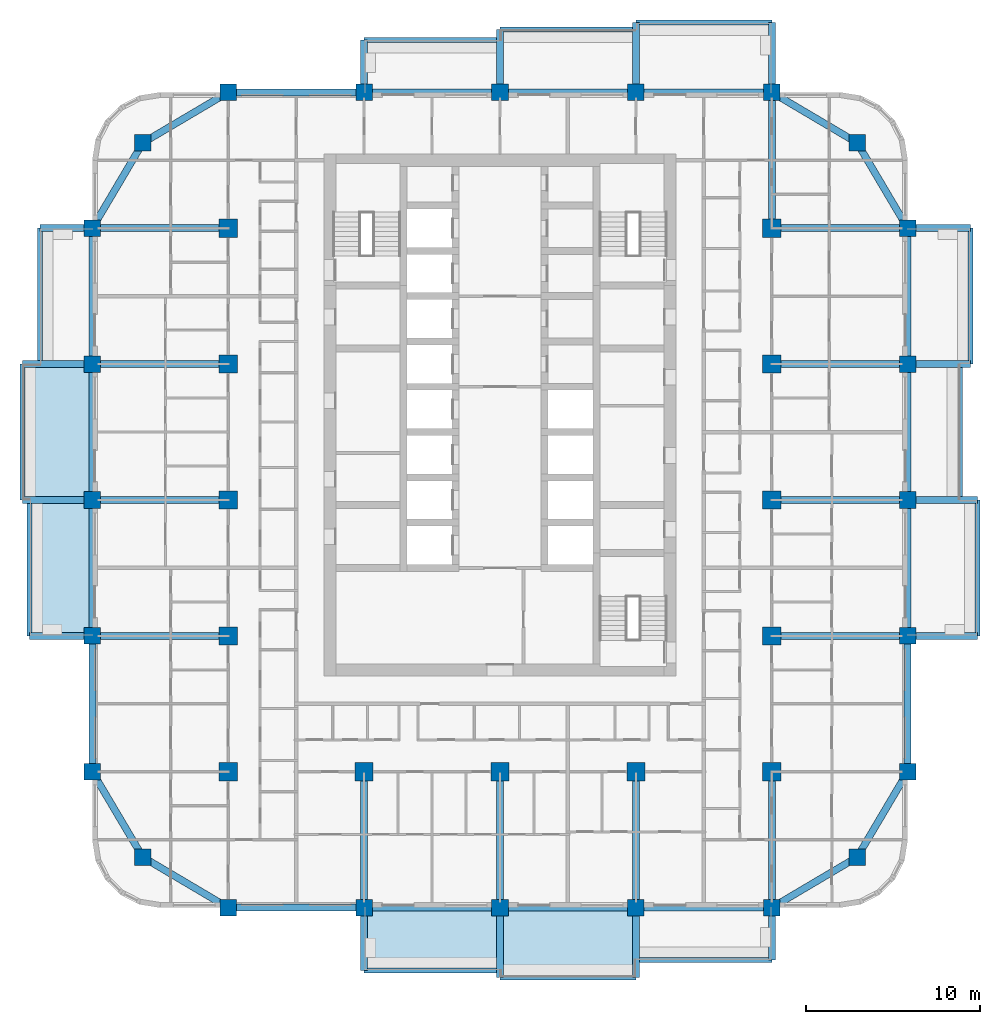
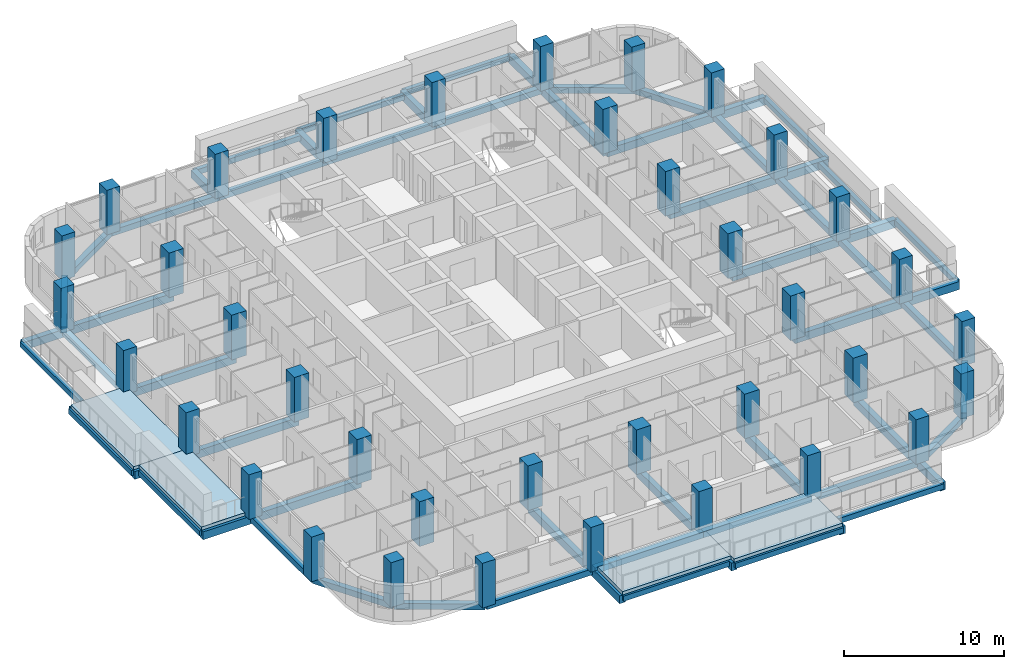
# One storey, part 1 of 17: 65 beams, 37 columns, 4 slabs.
"""IFC4 building model written with IfcOpenShell, lengths in metres."""

import ifcopenshell
import ifcopenshell.guid

model = None  # the IFC model being written
_history = None  # IfcOwnerHistory: only IFC2X3 demands one
_inside = {}  # id of a spatial element -> (the spatial element, [elements in it])
_under = {}  # id of a project, library or spatial element -> (it, [spatial elements below it])
_declared = {}  # id of a project -> (the project, [libraries it declares])
_typed = {}  # id of a type object -> (the type object, [elements of that type])
_made_of = {}  # id of a material, layer set ... -> (it, [elements and type objects made of it])


def new_model(schema):
    """Start an empty IFC model of exactly this schema.

    Asked for "IFC4X3", IfcOpenShell would pick the latest addendum, in which some entities
    have other attributes; the version numbers below select the first issue.
    IFC2X3 requires an IfcOwnerHistory on every rooted entity: one is made here for all.
    """
    global model, _history
    if schema == "IFC4X3":
        model = ifcopenshell.file(schema_version=(4, 3, 0, 0))
    else:
        model = ifcopenshell.file(schema=schema)
    _inside.clear()
    _under.clear()
    _declared.clear()
    _typed.clear()
    _made_of.clear()
    _history = None
    if model.schema == "IFC2X3":
        org = make("IfcOrganization", Name="unknown")
        user = make(
            "IfcPersonAndOrganization",
            ThePerson=make("IfcPerson", FamilyName="unknown"),
            TheOrganization=org,
        )
        app = make(
            "IfcApplication",
            ApplicationDeveloper=org,
            Version="unknown",
            ApplicationFullName="unknown",
            ApplicationIdentifier="unknown",
        )
        _history = make(
            "IfcOwnerHistory",
            OwningUser=user,
            OwningApplication=app,
            ChangeAction="ADDED",
            CreationDate=0,
        )
    return model


def make(cls, **values):
    """One entity of the class cls with the attributes given. An attribute that is None is left unset."""
    return model.create_entity(
        cls, **{name: value for name, value in values.items() if value is not None}
    )


def rooted(cls, **values):
    """An entity with a GlobalId (a new one), such as an element, a storey or a relation."""
    return make(cls, GlobalId=ifcopenshell.guid.new(), OwnerHistory=_history, **values)


def si_unit(unit_type, name, prefix=None):
    """IfcSIUnit, for example si_unit("LENGTHUNIT", "METRE", prefix="MILLI")."""
    return make("IfcSIUnit", UnitType=unit_type, Prefix=prefix, Name=name)


def assignment(units):
    """IfcUnitAssignment: the units of a project."""
    return None if units is None else make("IfcUnitAssignment", Units=units)


def point(xyz):
    """IfcCartesianPoint."""
    return None if xyz is None else make("IfcCartesianPoint", Coordinates=xyz)


def direction(xyz):
    """IfcDirection."""
    return None if xyz is None else make("IfcDirection", DirectionRatios=xyz)


def frame(location, z_axis=None, x_axis=None):
    """IfcAxis2Placement3D, a coordinate frame: its origin and axes. An axis left out is left unset."""
    return make(
        "IfcAxis2Placement3D",
        Location=point(location),
        Axis=direction(z_axis),
        RefDirection=direction(x_axis),
    )


def frame_2d(location, x_axis=None):
    """IfcAxis2Placement2D, a coordinate frame in the plane: its origin and x axis."""
    return make(
        "IfcAxis2Placement2D", Location=point(location), RefDirection=direction(x_axis)
    )


def origin():
    """The frame at (0, 0, 0) with its axes left unset."""
    return frame((0.0, 0.0, 0.0))


def origin_2d():
    """The frame at (0, 0) in the plane with its x axis left unset."""
    return frame_2d((0.0, 0.0))


def place(relative_to, where):
    """IfcLocalPlacement: puts the frame where relative to a parent placement (None: the world)."""
    return make(
        "IfcLocalPlacement", PlacementRelTo=relative_to, RelativePlacement=where
    )


def context(
    kind, dimensions, precision=None, world=None, true_north=None, identifier=None
):
    """IfcGeometricRepresentationContext, for example the 3D "Model" context."""
    return make(
        "IfcGeometricRepresentationContext",
        ContextIdentifier=identifier,
        ContextType=kind,
        CoordinateSpaceDimension=dimensions,
        Precision=precision,
        WorldCoordinateSystem=world,
        TrueNorth=true_north,
    )


def subcontext(parent, identifier, kind, view, scale=None):
    """IfcGeometricRepresentationSubContext, for example "Body" below "Model"."""
    return make(
        "IfcGeometricRepresentationSubContext",
        ContextIdentifier=identifier,
        ContextType=kind,
        ParentContext=parent,
        TargetScale=scale,
        TargetView=view,
    )


def project(units=None, contexts=None):
    """IfcProject with its units and contexts."""
    return rooted(
        "IfcProject",
        Name="project",
        RepresentationContexts=contexts,
        UnitsInContext=assignment(units),
    )


def spatial(cls, under=None, at=None, **own):
    """A site, building, storey or space (cls), placed at a placement, below another one or the project."""
    s = rooted(cls, ObjectPlacement=at, **own)
    if under is not None:
        _under.setdefault(under.id(), (under, []))[1].append(s)
    return s


def polyline(points):
    """IfcPolyline through the points."""
    return make("IfcPolyline", Points=[point(p) for p in points])


def profile(cls, at=None, kind="AREA", **sizes):
    """A parametric profile (cls). Its sizes go by their IFC names, for example OverallWidth=200.0."""
    return make(cls, ProfileType=kind, Position=at, **sizes)


def rectangle(**sizes):
    """IfcRectangleProfileDef."""
    return profile("IfcRectangleProfileDef", **sizes)


def outline(outer, holes=None, kind="AREA"):
    """IfcArbitraryClosedProfileDef: a profile drawn as a closed curve; with holes, ...WithVoids."""
    if holes is None:
        return make("IfcArbitraryClosedProfileDef", ProfileType=kind, OuterCurve=outer)
    return make(
        "IfcArbitraryProfileDefWithVoids",
        ProfileType=kind,
        OuterCurve=outer,
        InnerCurves=holes,
    )


def extrude(swept, where, along, depth):
    """IfcExtrudedAreaSolid: the profile swept, set in the frame where, extruded along a direction by depth."""
    return make(
        "IfcExtrudedAreaSolid",
        SweptArea=swept,
        Position=where,
        ExtrudedDirection=direction(along),
        Depth=depth,
    )


def shape(context_of_items, identifier, shape_type, items):
    """IfcShapeRepresentation: the items that make up one representation, for example the "Body"."""
    return make(
        "IfcShapeRepresentation",
        ContextOfItems=context_of_items,
        RepresentationIdentifier=identifier,
        RepresentationType=shape_type,
        Items=items,
    )


def material(Name=None, Category=None):
    """IfcMaterial."""
    return make("IfcMaterial", Name=Name, Category=Category)


def layer(
    of_material, thickness, ventilated=None, Name=None, Category=None, Priority=None
):
    """IfcMaterialLayer: one layer of a wall or slab, of a material (None: an air gap)."""
    return make(
        "IfcMaterialLayer",
        Material=of_material,
        LayerThickness=thickness,
        IsVentilated=ventilated,
        Name=Name,
        Category=Category,
        Priority=Priority,
    )


def layer_set(layers, Name=None):
    """IfcMaterialLayerSet."""
    return make("IfcMaterialLayerSet", MaterialLayers=layers, LayerSetName=Name)


def material_profile(
    of_material, cross_section, Name=None, Category=None, Priority=None
):
    """IfcMaterialProfile: a cross section and its material."""
    return make(
        "IfcMaterialProfile",
        Name=Name,
        Material=of_material,
        Profile=cross_section,
        Priority=Priority,
        Category=Category,
    )


def profile_set(profiles, Name=None, composite=None):
    """IfcMaterialProfileSet."""
    return make(
        "IfcMaterialProfileSet",
        Name=Name,
        MaterialProfiles=profiles,
        CompositeProfile=composite,
    )


def made_of(thing, what):
    """Note that an element or type object is made of a material, layer set ...; save() writes the relation."""
    if what is not None:
        _made_of.setdefault(what.id(), (what, []))[1].append(thing)
    return thing


def type_object(cls, material=None, **own):
    """A type object (cls), such as IfcWallType, which elements share."""
    return made_of(rooted(cls, **own), material)


def element(
    cls,
    number,
    at=None,
    inside=None,
    cuts=None,
    type_object=None,
    material=None,
    context=None,
    identifier="Body",
    shape_type=None,
    held_by="IfcProductDefinitionShape",
    body=None,
    shapes=None,
    **own,
):
    """One element of the class cls, such as IfcWall. Its Tag is "e" and its number.

    at: its placement. inside: the storey or other place that contains it. cuts: it is an
    opening in that element (IfcRelVoidsElement). A single representation is given by context,
    identifier, shape_type and body (its items); several are given by shapes. held_by: the class
    of the entity that holds the representations. save() writes the other relations.
    """
    e = rooted(cls, Tag="e%d" % number, ObjectPlacement=at, **own)
    if body is not None:
        shapes = [shape(context, identifier, shape_type, body)]
    if shapes is not None:
        e.Representation = make(held_by, Representations=shapes)
    if inside is not None:
        _inside.setdefault(inside.id(), (inside, []))[1].append(e)
    if cuts is not None:
        rooted(
            "IfcRelVoidsElement", RelatingBuildingElement=cuts, RelatedOpeningElement=e
        )
    if type_object is not None:
        _typed.setdefault(type_object.id(), (type_object, []))[1].append(e)
    return made_of(e, material)


def aggregate(whole, parts):
    """IfcRelAggregates: a whole, such as a stair, and the parts it consists of."""
    return rooted("IfcRelAggregates", RelatingObject=whole, RelatedObjects=parts)


def save(model, path):
    """Write the relations noted so far, then the file.

    IfcRelAggregates (storeys below a building ...), IfcRelContainedInSpatialStructure (elements
    in a storey), IfcRelDefinesByType, IfcRelAssociatesMaterial and IfcRelDeclares: one each for
    every whole, place, type object, material and project.
    """
    for whole, parts in _under.values():
        aggregate(whole, parts)
    for where, things in _inside.values():
        rooted(
            "IfcRelContainedInSpatialStructure",
            RelatedElements=things,
            RelatingStructure=where,
        )
    for kind, things in _typed.values():
        rooted("IfcRelDefinesByType", RelatedObjects=things, RelatingType=kind)
    for what, things in _made_of.values():
        rooted("IfcRelAssociatesMaterial", RelatedObjects=things, RelatingMaterial=what)
    for by, libraries in _declared.values():
        rooted("IfcRelDeclares", RelatingContext=by, RelatedDefinitions=libraries)
    model.write(path)


model = new_model("IFC4")

# Units and contexts
model_context = context("Model", 3, precision=1e-05, world=origin(), true_north=direction((0.0, 1.0)))
body_context = subcontext(model_context, "Body", "Model", "MODEL_VIEW")
ifc_project = project(units=[si_unit("LENGTHUNIT", "METRE"), si_unit("AREAUNIT", "SQUARE_METRE"), si_unit("VOLUMEUNIT", "CUBIC_METRE"), si_unit("PLANEANGLEUNIT", "RADIAN"), si_unit("MASSUNIT", "GRAM", prefix="KILO")], contexts=[model_context])

# Site, building, storey
site_placement = place(None, origin())
site = spatial("IfcSite", under=ifc_project, at=site_placement, CompositionType="ELEMENT")
building_placement = place(site_placement, origin())
building = spatial("IfcBuilding", under=site, at=building_placement, Name="Ludao Terraces", CompositionType="ELEMENT")
storey_placement = place(building_placement, frame((0.0, 0.0, 85.199951171875)))
storey = spatial("IfcBuildingStorey", under=building, at=storey_placement, Name="L23", CompositionType="ELEMENT", Elevation=85.199951171875)

# Columns
ifc_material_1 = material(Name="Concrete C55", Category="concrete")
ifc_material_profile_1 = material_profile(ifc_material_1, rectangle(XDim=1.050048828125, YDim=1.050048828125, at=origin_2d()), Name="1050 X 1050")
ifc_profile_set_1 = profile_set([ifc_material_profile_1], Name="Concrete C55")
column_type_1 = type_object("IfcColumnType", Name="RC column 1050x1050 C55", PredefinedType="COLUMN", material=ifc_profile_set_1)
for number, where, z_axis, x_axis, name in (
    (1, (69.39990234375, 49.39990234375, -0.25), (0.0, 0.0, 1.0), (1.0, 0.0, 0.0), "Column L23 S0078x0078"),
    (2, (69.39990234375, 57.199951171875, -0.25), (0.0, 0.0, 1.0), (1.0, 0.0, 0.0), "Column L23 S0078x0156"),
    (3, (69.39990234375, 65.0, -0.25), (0.0, 0.0, 1.0), (1.0, 0.0, 0.0), "Column L23 S0078x0234"),
    (4, (69.39990234375, 72.800048828125, -0.25), (0.0, 0.0, 1.0), (1.0, 0.0, 0.0), "Column L23 S0078x0312"),
    (5, (69.39990234375, 80.60009765625, -0.25), (0.0, 0.0, 1.0), (1.0, 0.0, 0.0), "Column L23 S0078x0390"),
    (6, (77.199951171875, 49.39990234375, -0.25), (0.0, 0.0, 1.0), (1.0, 0.0, 0.0), "Column L23 S0156x0078"),
    (7, (85.0, 49.39990234375, -0.25), (0.0, 0.0, 1.0), (1.0, 0.0, 0.0), "Column L23 S0234x0078"),
    (8, (92.800048828125, 49.39990234375, -0.25), (0.0, 0.0, 1.0), (1.0, 0.0, 0.0), "Column L23 S0312x0078"),
    (9, (100.60009765625, 49.39990234375, -0.25), (0.0, 0.0, 1.0), (1.0, 0.0, 0.0), "Column L23 S0390x0078"),
    (10, (100.60009765625, 57.199951171875, -0.25), (0.0, 0.0, 1.0), (1.0, 0.0, 0.0), "Column L23 S0390x0156"),
    (11, (100.60009765625, 65.0, -0.25), (0.0, 0.0, 1.0), (1.0, 0.0, 0.0), "Column L23 S0390x0234"),
    (12, (100.60009765625, 72.800048828125, -0.25), (0.0, 0.0, 1.0), (1.0, 0.0, 0.0), "Column L23 S0390x0312"),
    (13, (100.60009765625, 80.60009765625, -0.25), (0.0, 0.0, 1.0), (1.0, 0.0, 0.0), "Column L23 S0390x0390"),
):
    element("IfcColumn", number, at=place(storey_placement, frame(where, z_axis=z_axis, x_axis=x_axis)), inside=storey, type_object=column_type_1, Name=name, PredefinedType="COLUMN", context=body_context, shape_type="SweptSolid", body=[
        extrude(rectangle(XDim=1.050048828125, YDim=1.050048828125, at=origin_2d()), origin(), (0.0, 0.0, 1.0), 3.400146484375),
    ])
ifc_material_profile_2 = material_profile(ifc_material_1, rectangle(XDim=0.949951171875, YDim=0.949951171875, at=origin_2d()), Name="950 X 950")
ifc_profile_set_2 = profile_set([ifc_material_profile_2], Name="Concrete C55")
column_type_2 = type_object("IfcColumnType", Name="RC column 950x950 C55", PredefinedType="COLUMN", material=ifc_profile_set_2)
for number, where, z_axis, x_axis, name in (
    (14, (64.5, 44.5, -0.25), (0.0, 0.0, 1.0), (1.0, 0.0, 0.0), "Column L23 C0029x0029"),
    (15, (105.5, 44.5, -0.25), (0.0, 0.0, 1.0), (1.0, 0.0, 0.0), "Column L23 C0439x0029"),
    (16, (64.5, 85.5, -0.25), (0.0, 0.0, 1.0), (1.0, 0.0, 0.0), "Column L23 C0029x0439"),
    (17, (105.5, 85.5, -0.25), (0.0, 0.0, 1.0), (1.0, 0.0, 0.0), "Column L23 C0439x0439"),
    (18, (61.60009765625, 49.39990234375, -0.25), (0.0, 0.0, 1.0), (1.0, 0.0, 0.0), "Column L23 F0000x0078"),
    (19, (108.39990234375, 49.39990234375, -0.25), (0.0, 0.0, 1.0), (1.0, 0.0, 0.0), "Column L23 F0468x0078"),
    (20, (69.39990234375, 41.60009765625, -0.25), (0.0, 0.0, 1.0), (1.0, 0.0, 0.0), "Column L23 F0078x0000"),
    (21, (69.39990234375, 88.39990234375, -0.25), (0.0, 0.0, 1.0), (1.0, 0.0, 0.0), "Column L23 F0078x0468"),
    (22, (61.60009765625, 57.199951171875, -0.25), (0.0, 0.0, 1.0), (1.0, 0.0, 0.0), "Column L23 F0000x0156"),
    (23, (108.39990234375, 57.199951171875, -0.25), (0.0, 0.0, 1.0), (1.0, 0.0, 0.0), "Column L23 F0468x0156"),
    (24, (77.199951171875, 41.60009765625, -0.25), (0.0, 0.0, 1.0), (1.0, 0.0, 0.0), "Column L23 F0156x0000"),
    (25, (77.199951171875, 88.39990234375, -0.25), (0.0, 0.0, 1.0), (1.0, 0.0, 0.0), "Column L23 F0156x0468"),
    (26, (61.60009765625, 65.0, -0.25), (0.0, 0.0, 1.0), (1.0, 0.0, 0.0), "Column L23 F0000x0234"),
    (27, (108.39990234375, 65.0, -0.25), (0.0, 0.0, 1.0), (1.0, 0.0, 0.0), "Column L23 F0468x0234"),
    (28, (85.0, 41.60009765625, -0.25), (0.0, 0.0, 1.0), (1.0, 0.0, 0.0), "Column L23 F0234x0000"),
    (29, (85.0, 88.39990234375, -0.25), (0.0, 0.0, 1.0), (1.0, 0.0, 0.0), "Column L23 F0234x0468"),
    (30, (61.60009765625, 72.800048828125, -0.25), (0.0, 0.0, 1.0), (1.0, 0.0, 0.0), "Column L23 F0000x0312"),
    (31, (108.39990234375, 72.800048828125, -0.25), (0.0, 0.0, 1.0), (1.0, 0.0, 0.0), "Column L23 F0468x0312"),
    (32, (92.800048828125, 41.60009765625, -0.25), (0.0, 0.0, 1.0), (1.0, 0.0, 0.0), "Column L23 F0312x0000"),
    (33, (92.800048828125, 88.39990234375, -0.25), (0.0, 0.0, 1.0), (1.0, 0.0, 0.0), "Column L23 F0312x0468"),
    (34, (61.60009765625, 80.60009765625, -0.25), (0.0, 0.0, 1.0), (1.0, 0.0, 0.0), "Column L23 F0000x0390"),
    (35, (108.39990234375, 80.60009765625, -0.25), (0.0, 0.0, 1.0), (1.0, 0.0, 0.0), "Column L23 F0468x0390"),
    (36, (100.60009765625, 41.60009765625, -0.25), (0.0, 0.0, 1.0), (1.0, 0.0, 0.0), "Column L23 F0390x0000"),
    (37, (100.60009765625, 88.39990234375, -0.25), (0.0, 0.0, 1.0), (1.0, 0.0, 0.0), "Column L23 F0390x0468"),
):
    element("IfcColumn", number, at=place(storey_placement, frame(where, z_axis=z_axis, x_axis=x_axis)), inside=storey, type_object=column_type_2, Name=name, PredefinedType="COLUMN", context=body_context, shape_type="SweptSolid", body=[
        extrude(rectangle(XDim=0.949951171875, YDim=0.949951171875, at=origin_2d()), origin(), (0.0, 0.0, 1.0), 3.400146484375),
    ])

# Beams
ifc_material_2 = material(Name="Concrete C40", Category="concrete")
ifc_material_profile_3 = material_profile(ifc_material_2, rectangle(XDim=0.300048828125, YDim=0.39990234375, at=origin_2d()), Name="300 X 400")
ifc_profile_set_3 = profile_set([ifc_material_profile_3], Name="Concrete C40")
beam_type_1 = type_object("IfcBeamType", Name="RC beam 300x400 C40", PredefinedType="BEAM", material=ifc_profile_set_3)
for number, where, z_axis, x_axis, name in (
    (38, (77.199951171875, 38.0, -0.449951171875), (1.0, 0.0, 0.0), (0.0, 1.0, 0.0), "Balcony edge beam L23 S2"),
    (39, (85.0, 37.60009765625, -0.449951171875), (1.0, 0.0, 0.0), (0.0, 1.0, 0.0), "Balcony edge beam L23 S3"),
    (40, (92.800048828125, 38.60009765625, -0.449951171875), (1.0, 0.0, 0.0), (0.0, 1.0, 0.0), "Balcony edge beam L23 S4"),
    (41, (112.39990234375, 57.199951171875, -0.449951171875), (0.0, 1.0, 0.0), (-1.0, 0.0, 0.0), "Balcony edge beam L23 E2"),
    (42, (111.39990234375, 65.0, -0.449951171875), (0.0, 1.0, 0.0), (-1.0, 0.0, 0.0), "Balcony edge beam L23 E3"),
    (43, (112.0, 72.800048828125, -0.449951171875), (0.0, 1.0, 0.0), (-1.0, 0.0, 0.0), "Balcony edge beam L23 E4"),
    (44, (77.199951171875, 91.39990234375, -0.449951171875), (1.0, 0.0, 0.0), (0.0, 1.0, 0.0), "Balcony edge beam L23 N2"),
    (45, (85.0, 92.0, -0.449951171875), (1.0, 0.0, 0.0), (0.0, 1.0, 0.0), "Balcony edge beam L23 N3"),
    (46, (92.800048828125, 92.39990234375, -0.449951171875), (1.0, 0.0, 0.0), (0.0, 1.0, 0.0), "Balcony edge beam L23 N4"),
    (47, (58.0, 57.199951171875, -0.449951171875), (0.0, 1.0, 0.0), (-1.0, 0.0, 0.0), "Balcony edge beam L23 W2"),
    (48, (57.60009765625, 65.0, -0.449951171875), (0.0, 1.0, 0.0), (-1.0, 0.0, 0.0), "Balcony edge beam L23 W3"),
    (49, (58.60009765625, 72.800048828125, -0.449951171875), (0.0, 1.0, 0.0), (-1.0, 0.0, 0.0), "Balcony edge beam L23 W4"),
):
    element("IfcBeam", number, at=place(storey_placement, frame(where, z_axis=z_axis, x_axis=x_axis)), inside=storey, type_object=beam_type_1, Name=name, PredefinedType="BEAM", context=body_context, shape_type="SweptSolid", body=[
        extrude(rectangle(XDim=0.300048828125, YDim=0.39990234375, at=origin_2d()), origin(), (0.0, 0.0, 1.0), 7.800048828125),
    ])
ifc_material_profile_4 = material_profile(ifc_material_2, rectangle(XDim=0.39990234375, YDim=0.449951171875, at=origin_2d()), Name="400 X 450")
ifc_profile_set_4 = profile_set([ifc_material_profile_4], Name="Concrete C40")
beam_type_2 = type_object("IfcBeamType", Name="RC beam 400x450 C40", PredefinedType="BEAM", material=ifc_profile_set_4)
beam_1_placement = place(storey_placement, frame((64.5, 44.5, -0.474853515625), z_axis=(0.860579751256, -0.509315709288, 0.0), x_axis=(0.509315709288, 0.860579751256, 0.0)))
element("IfcBeam", 50, at=beam_1_placement, inside=storey, type_object=beam_type_2, Name="Spandrel beam L23 S1", PredefinedType="BEAM", context=body_context, shape_type="SweptSolid", body=[
    extrude(rectangle(XDim=0.39990234375, YDim=0.449951171875, at=origin_2d()), origin(), (0.0, 0.0, 1.0), 5.693603515625),
])
for number, where, z_axis, x_axis, name in (
    (51, (69.39990234375, 41.60009765625, -0.474853515625), (1.0, 0.0, 0.0), (0.0, 1.0, 0.0), "Spandrel beam L23 S2"),
    (52, (77.199951171875, 41.60009765625, -0.474853515625), (1.0, 0.0, 0.0), (0.0, 1.0, 0.0), "Spandrel beam L23 S3"),
    (53, (85.0, 41.60009765625, -0.474853515625), (1.0, 0.0, 0.0), (0.0, 1.0, 0.0), "Spandrel beam L23 S4"),
    (54, (92.800048828125, 41.60009765625, -0.474853515625), (1.0, 0.0, 0.0), (0.0, 1.0, 0.0), "Spandrel beam L23 S5"),
):
    element("IfcBeam", number, at=place(storey_placement, frame(where, z_axis=z_axis, x_axis=x_axis)), inside=storey, type_object=beam_type_2, Name=name, PredefinedType="BEAM", context=body_context, shape_type="SweptSolid", body=[
        extrude(rectangle(XDim=0.39990234375, YDim=0.449951171875, at=origin_2d()), origin(), (0.0, 0.0, 1.0), 7.800048828125),
    ])
for number, where, z_axis, x_axis, name in (
    (55, (100.60009765625, 41.60009765625, -0.474853515625), (0.860579751256, 0.509315709288, 0.0), (-0.509315709288, 0.860579751256, 0.0), "Spandrel beam L23 S6"),
    (56, (64.5, 85.5, -0.474853515625), (0.860579751256, 0.509315709288, 0.0), (-0.509315709288, 0.860579751256, 0.0), "Spandrel beam L23 N7"),
):
    element("IfcBeam", number, at=place(storey_placement, frame(where, z_axis=z_axis, x_axis=x_axis)), inside=storey, type_object=beam_type_2, Name=name, PredefinedType="BEAM", context=body_context, shape_type="SweptSolid", body=[
        extrude(rectangle(XDim=0.39990234375, YDim=0.449951171875, at=origin_2d()), origin(), (0.0, 0.0, 1.0), 5.693603515625),
    ])
for number, where, z_axis, x_axis, name in (
    (57, (69.39990234375, 88.39990234375, -0.474853515625), (1.0, 0.0, 0.0), (0.0, 1.0, 0.0), "Spandrel beam L23 N8"),
    (58, (77.199951171875, 88.39990234375, -0.474853515625), (1.0, 0.0, 0.0), (0.0, 1.0, 0.0), "Spandrel beam L23 N9"),
    (59, (85.0, 88.39990234375, -0.474853515625), (1.0, 0.0, 0.0), (0.0, 1.0, 0.0), "Spandrel beam L23 N10"),
    (60, (92.800048828125, 88.39990234375, -0.474853515625), (1.0, 0.0, 0.0), (0.0, 1.0, 0.0), "Spandrel beam L23 N11"),
):
    element("IfcBeam", number, at=place(storey_placement, frame(where, z_axis=z_axis, x_axis=x_axis)), inside=storey, type_object=beam_type_2, Name=name, PredefinedType="BEAM", context=body_context, shape_type="SweptSolid", body=[
        extrude(rectangle(XDim=0.39990234375, YDim=0.449951171875, at=origin_2d()), origin(), (0.0, 0.0, 1.0), 7.800048828125),
    ])
for number, where, z_axis, x_axis, name in (
    (61, (100.60009765625, 88.39990234375, -0.474853515625), (0.860579751256, -0.509315709288, 0.0), (0.509315709288, 0.860579751256, 0.0), "Spandrel beam L23 N12"),
    (62, (64.5, 44.5, -0.474853515625), (-0.509315709288, 0.860579751256, 0.0), (-0.860579751256, -0.509315709288, 0.0), "Spandrel beam L23 W13"),
):
    element("IfcBeam", number, at=place(storey_placement, frame(where, z_axis=z_axis, x_axis=x_axis)), inside=storey, type_object=beam_type_2, Name=name, PredefinedType="BEAM", context=body_context, shape_type="SweptSolid", body=[
        extrude(rectangle(XDim=0.39990234375, YDim=0.449951171875, at=origin_2d()), origin(), (0.0, 0.0, 1.0), 5.693603515625),
    ])
for number, where, z_axis, x_axis, name in (
    (63, (61.60009765625, 49.39990234375, -0.474853515625), (0.0, 1.0, 0.0), (-1.0, 0.0, 0.0), "Spandrel beam L23 W14"),
    (64, (61.60009765625, 57.199951171875, -0.474853515625), (0.0, 1.0, 0.0), (-1.0, 0.0, 0.0), "Spandrel beam L23 W15"),
    (65, (61.60009765625, 65.0, -0.474853515625), (0.0, 1.0, 0.0), (-1.0, 0.0, 0.0), "Spandrel beam L23 W16"),
    (66, (61.60009765625, 72.800048828125, -0.474853515625), (0.0, 1.0, 0.0), (-1.0, 0.0, 0.0), "Spandrel beam L23 W17"),
):
    element("IfcBeam", number, at=place(storey_placement, frame(where, z_axis=z_axis, x_axis=x_axis)), inside=storey, type_object=beam_type_2, Name=name, PredefinedType="BEAM", context=body_context, shape_type="SweptSolid", body=[
        extrude(rectangle(XDim=0.39990234375, YDim=0.449951171875, at=origin_2d()), origin(), (0.0, 0.0, 1.0), 7.800048828125),
    ])
for number, where, z_axis, x_axis, name in (
    (67, (61.60009765625, 80.60009765625, -0.474853515625), (0.509315709288, 0.860579751256, 0.0), (-0.860579751256, 0.509315709288, 0.0), "Spandrel beam L23 W18"),
    (68, (105.5, 44.5, -0.474853515625), (0.509315709288, 0.860579751256, 0.0), (-0.860579751256, 0.509315709288, 0.0), "Spandrel beam L23 E19"),
):
    element("IfcBeam", number, at=place(storey_placement, frame(where, z_axis=z_axis, x_axis=x_axis)), inside=storey, type_object=beam_type_2, Name=name, PredefinedType="BEAM", context=body_context, shape_type="SweptSolid", body=[
        extrude(rectangle(XDim=0.39990234375, YDim=0.449951171875, at=origin_2d()), origin(), (0.0, 0.0, 1.0), 5.693603515625),
    ])
for number, where, z_axis, x_axis, name in (
    (69, (108.39990234375, 49.39990234375, -0.474853515625), (0.0, 1.0, 0.0), (-1.0, 0.0, 0.0), "Spandrel beam L23 E20"),
    (70, (108.39990234375, 57.199951171875, -0.474853515625), (0.0, 1.0, 0.0), (-1.0, 0.0, 0.0), "Spandrel beam L23 E21"),
    (71, (108.39990234375, 65.0, -0.474853515625), (0.0, 1.0, 0.0), (-1.0, 0.0, 0.0), "Spandrel beam L23 E22"),
    (72, (108.39990234375, 72.800048828125, -0.474853515625), (0.0, 1.0, 0.0), (-1.0, 0.0, 0.0), "Spandrel beam L23 E23"),
):
    element("IfcBeam", number, at=place(storey_placement, frame(where, z_axis=z_axis, x_axis=x_axis)), inside=storey, type_object=beam_type_2, Name=name, PredefinedType="BEAM", context=body_context, shape_type="SweptSolid", body=[
        extrude(rectangle(XDim=0.39990234375, YDim=0.449951171875, at=origin_2d()), origin(), (0.0, 0.0, 1.0), 7.800048828125),
    ])
beam_2_placement = place(storey_placement, frame((108.39990234375, 80.60009765625, -0.474853515625), z_axis=(-0.509315709288, 0.860579751256, 0.0), x_axis=(-0.860579751256, -0.509315709288, 0.0)))
element("IfcBeam", 73, at=beam_2_placement, inside=storey, type_object=beam_type_2, Name="Spandrel beam L23 E24", PredefinedType="BEAM", context=body_context, shape_type="SweptSolid", body=[
    extrude(rectangle(XDim=0.39990234375, YDim=0.449951171875, at=origin_2d()), origin(), (0.0, 0.0, 1.0), 5.693603515625),
])
ifc_material_profile_5 = material_profile(ifc_material_2, rectangle(XDim=0.39990234375, YDim=0.60009765625, at=origin_2d()), Name="400 X 600")
ifc_profile_set_5 = profile_set([ifc_material_profile_5], Name="Concrete C40")
beam_type_3 = type_object("IfcBeamType", Name="RC beam 400x600 C40", PredefinedType="BEAM", material=ifc_profile_set_5)
beam_3_placement = place(storey_placement, frame((100.60009765625, 57.199951171875, -0.550048828125), z_axis=(1.0, 0.0, 0.0), x_axis=(0.0, 1.0, 0.0)))
element("IfcBeam", 74, at=beam_3_placement, inside=storey, type_object=beam_type_3, Name="Balcony beam L23 E572", PredefinedType="BEAM", context=body_context, shape_type="SweptSolid", body=[
    extrude(rectangle(XDim=0.39990234375, YDim=0.60009765625, at=origin_2d()), origin(), (0.0, 0.0, 1.0), 7.7998046875),
])
beam_4_placement = place(storey_placement, frame((108.39990234375, 57.199951171875, -0.550048828125), z_axis=(1.0, 0.0, 0.0), x_axis=(0.0, 1.0, 0.0)))
element("IfcBeam", 75, at=beam_4_placement, inside=storey, type_object=beam_type_3, Name="Balcony beam L23 E572", PredefinedType="BEAM", context=body_context, shape_type="SweptSolid", body=[
    extrude(rectangle(XDim=0.39990234375, YDim=0.60009765625, at=origin_2d()), origin(), (0.0, 0.0, 1.0), 4.0),
])
beam_5_placement = place(storey_placement, frame((100.60009765625, 65.0, -0.550048828125), z_axis=(1.0, 0.0, 0.0), x_axis=(0.0, 1.0, 0.0)))
element("IfcBeam", 76, at=beam_5_placement, inside=storey, type_object=beam_type_3, Name="Balcony beam L23 E650", PredefinedType="BEAM", context=body_context, shape_type="SweptSolid", body=[
    extrude(rectangle(XDim=0.39990234375, YDim=0.60009765625, at=origin_2d()), origin(), (0.0, 0.0, 1.0), 7.7998046875),
])
beam_6_placement = place(storey_placement, frame((108.39990234375, 65.0, -0.550048828125), z_axis=(1.0, 0.0, 0.0), x_axis=(0.0, 1.0, 0.0)))
element("IfcBeam", 77, at=beam_6_placement, inside=storey, type_object=beam_type_3, Name="Balcony beam L23 E650", PredefinedType="BEAM", context=body_context, shape_type="SweptSolid", body=[
    extrude(rectangle(XDim=0.39990234375, YDim=0.60009765625, at=origin_2d()), origin(), (0.0, 0.0, 1.0), 4.0),
])
beam_7_placement = place(storey_placement, frame((100.60009765625, 72.800048828125, -0.550048828125), z_axis=(1.0, 0.0, 0.0), x_axis=(0.0, 1.0, 0.0)))
element("IfcBeam", 78, at=beam_7_placement, inside=storey, type_object=beam_type_3, Name="Balcony beam L23 E728", PredefinedType="BEAM", context=body_context, shape_type="SweptSolid", body=[
    extrude(rectangle(XDim=0.39990234375, YDim=0.60009765625, at=origin_2d()), origin(), (0.0, 0.0, 1.0), 7.7998046875),
])
beam_8_placement = place(storey_placement, frame((108.39990234375, 72.800048828125, -0.550048828125), z_axis=(1.0, 0.0, 0.0), x_axis=(0.0, 1.0, 0.0)))
element("IfcBeam", 79, at=beam_8_placement, inside=storey, type_object=beam_type_3, Name="Balcony beam L23 E728", PredefinedType="BEAM", context=body_context, shape_type="SweptSolid", body=[
    extrude(rectangle(XDim=0.39990234375, YDim=0.60009765625, at=origin_2d()), origin(), (0.0, 0.0, 1.0), 3.60009765625),
])
beam_9_placement = place(storey_placement, frame((100.60009765625, 80.60009765625, -0.550048828125), z_axis=(1.0, 0.0, 0.0), x_axis=(0.0, 1.0, 0.0)))
element("IfcBeam", 80, at=beam_9_placement, inside=storey, type_object=beam_type_3, Name="Balcony beam L23 E806", PredefinedType="BEAM", context=body_context, shape_type="SweptSolid", body=[
    extrude(rectangle(XDim=0.39990234375, YDim=0.60009765625, at=origin_2d()), origin(), (0.0, 0.0, 1.0), 7.7998046875),
])
beam_10_placement = place(storey_placement, frame((108.39990234375, 80.60009765625, -0.550048828125), z_axis=(1.0, 0.0, 0.0), x_axis=(0.0, 1.0, 0.0)))
element("IfcBeam", 81, at=beam_10_placement, inside=storey, type_object=beam_type_3, Name="Balcony beam L23 E806", PredefinedType="BEAM", context=body_context, shape_type="SweptSolid", body=[
    extrude(rectangle(XDim=0.39990234375, YDim=0.60009765625, at=origin_2d()), origin(), (0.0, 0.0, 1.0), 3.60009765625),
])
beam_11_placement = place(storey_placement, frame((100.60009765625, 80.60009765625, -0.550048828125), z_axis=(0.0, 1.0, 0.0), x_axis=(-1.0, 0.0, 0.0)))
element("IfcBeam", 82, at=beam_11_placement, inside=storey, type_object=beam_type_3, Name="Balcony beam L23 N1006", PredefinedType="BEAM", context=body_context, shape_type="SweptSolid", body=[
    extrude(rectangle(XDim=0.39990234375, YDim=0.60009765625, at=origin_2d()), origin(), (0.0, 0.0, 1.0), 7.7998046875),
])
beam_12_placement = place(storey_placement, frame((100.60009765625, 88.39990234375, -0.550048828125), z_axis=(0.0, 1.0, 0.0), x_axis=(-1.0, 0.0, 0.0)))
element("IfcBeam", 83, at=beam_12_placement, inside=storey, type_object=beam_type_3, Name="Balcony beam L23 N1006", PredefinedType="BEAM", context=body_context, shape_type="SweptSolid", body=[
    extrude(rectangle(XDim=0.39990234375, YDim=0.60009765625, at=origin_2d()), origin(), (0.0, 0.0, 1.0), 4.0),
])
beam_13_placement = place(storey_placement, frame((77.199951171875, 88.39990234375, -0.550048828125), z_axis=(0.0, 1.0, 0.0), x_axis=(-1.0, 0.0, 0.0)))
element("IfcBeam", 84, at=beam_13_placement, inside=storey, type_object=beam_type_3, Name="Balcony beam L23 N772", PredefinedType="BEAM", context=body_context, shape_type="SweptSolid", body=[
    extrude(rectangle(XDim=0.39990234375, YDim=0.60009765625, at=origin_2d()), origin(), (0.0, 0.0, 1.0), 3.0),
])
beam_14_placement = place(storey_placement, frame((85.0, 88.39990234375, -0.550048828125), z_axis=(0.0, 1.0, 0.0), x_axis=(-1.0, 0.0, 0.0)))
element("IfcBeam", 85, at=beam_14_placement, inside=storey, type_object=beam_type_3, Name="Balcony beam L23 N850", PredefinedType="BEAM", context=body_context, shape_type="SweptSolid", body=[
    extrude(rectangle(XDim=0.39990234375, YDim=0.60009765625, at=origin_2d()), origin(), (0.0, 0.0, 1.0), 3.60009765625),
])
beam_15_placement = place(storey_placement, frame((92.800048828125, 88.39990234375, -0.550048828125), z_axis=(0.0, 1.0, 0.0), x_axis=(-1.0, 0.0, 0.0)))
element("IfcBeam", 86, at=beam_15_placement, inside=storey, type_object=beam_type_3, Name="Balcony beam L23 N928", PredefinedType="BEAM", context=body_context, shape_type="SweptSolid", body=[
    extrude(rectangle(XDim=0.39990234375, YDim=0.60009765625, at=origin_2d()), origin(), (0.0, 0.0, 1.0), 4.0),
])
beam_16_placement = place(storey_placement, frame((100.60009765625, 49.39990234375, -0.550048828125), z_axis=(0.0, -1.0, 0.0), x_axis=(1.0, 0.0, 0.0)))
element("IfcBeam", 87, at=beam_16_placement, inside=storey, type_object=beam_type_3, Name="Balcony beam L23 S1006", PredefinedType="BEAM", context=body_context, shape_type="SweptSolid", body=[
    extrude(rectangle(XDim=0.39990234375, YDim=0.60009765625, at=origin_2d()), origin(), (0.0, 0.0, 1.0), 7.7998046875),
])
beam_17_placement = place(storey_placement, frame((100.60009765625, 41.60009765625, -0.550048828125), z_axis=(0.0, -1.0, 0.0), x_axis=(1.0, 0.0, 0.0)))
element("IfcBeam", 88, at=beam_17_placement, inside=storey, type_object=beam_type_3, Name="Balcony beam L23 S1006", PredefinedType="BEAM", context=body_context, shape_type="SweptSolid", body=[
    extrude(rectangle(XDim=0.39990234375, YDim=0.60009765625, at=origin_2d()), origin(), (0.0, 0.0, 1.0), 3.0),
])
beam_18_placement = place(storey_placement, frame((77.199951171875, 49.39990234375, -0.550048828125), z_axis=(0.0, -1.0, 0.0), x_axis=(1.0, 0.0, 0.0)))
element("IfcBeam", 89, at=beam_18_placement, inside=storey, type_object=beam_type_3, Name="Balcony beam L23 S772", PredefinedType="BEAM", context=body_context, shape_type="SweptSolid", body=[
    extrude(rectangle(XDim=0.39990234375, YDim=0.60009765625, at=origin_2d()), origin(), (0.0, 0.0, 1.0), 7.7998046875),
])
beam_19_placement = place(storey_placement, frame((77.199951171875, 41.60009765625, -0.550048828125), z_axis=(0.0, -1.0, 0.0), x_axis=(1.0, 0.0, 0.0)))
element("IfcBeam", 90, at=beam_19_placement, inside=storey, type_object=beam_type_3, Name="Balcony beam L23 S772", PredefinedType="BEAM", context=body_context, shape_type="SweptSolid", body=[
    extrude(rectangle(XDim=0.39990234375, YDim=0.60009765625, at=origin_2d()), origin(), (0.0, 0.0, 1.0), 3.60009765625),
])
beam_20_placement = place(storey_placement, frame((85.0, 49.39990234375, -0.550048828125), z_axis=(0.0, -1.0, 0.0), x_axis=(1.0, 0.0, 0.0)))
element("IfcBeam", 91, at=beam_20_placement, inside=storey, type_object=beam_type_3, Name="Balcony beam L23 S850", PredefinedType="BEAM", context=body_context, shape_type="SweptSolid", body=[
    extrude(rectangle(XDim=0.39990234375, YDim=0.60009765625, at=origin_2d()), origin(), (0.0, 0.0, 1.0), 7.7998046875),
])
beam_21_placement = place(storey_placement, frame((85.0, 41.60009765625, -0.550048828125), z_axis=(0.0, -1.0, 0.0), x_axis=(1.0, 0.0, 0.0)))
element("IfcBeam", 92, at=beam_21_placement, inside=storey, type_object=beam_type_3, Name="Balcony beam L23 S850", PredefinedType="BEAM", context=body_context, shape_type="SweptSolid", body=[
    extrude(rectangle(XDim=0.39990234375, YDim=0.60009765625, at=origin_2d()), origin(), (0.0, 0.0, 1.0), 4.0),
])
beam_22_placement = place(storey_placement, frame((92.800048828125, 49.39990234375, -0.550048828125), z_axis=(0.0, -1.0, 0.0), x_axis=(1.0, 0.0, 0.0)))
element("IfcBeam", 93, at=beam_22_placement, inside=storey, type_object=beam_type_3, Name="Balcony beam L23 S928", PredefinedType="BEAM", context=body_context, shape_type="SweptSolid", body=[
    extrude(rectangle(XDim=0.39990234375, YDim=0.60009765625, at=origin_2d()), origin(), (0.0, 0.0, 1.0), 7.7998046875),
])
beam_23_placement = place(storey_placement, frame((92.800048828125, 41.60009765625, -0.550048828125), z_axis=(0.0, -1.0, 0.0), x_axis=(1.0, 0.0, 0.0)))
element("IfcBeam", 94, at=beam_23_placement, inside=storey, type_object=beam_type_3, Name="Balcony beam L23 S928", PredefinedType="BEAM", context=body_context, shape_type="SweptSolid", body=[
    extrude(rectangle(XDim=0.39990234375, YDim=0.60009765625, at=origin_2d()), origin(), (0.0, 0.0, 1.0), 4.0),
])
beam_24_placement = place(storey_placement, frame((69.39990234375, 57.199951171875, -0.550048828125), z_axis=(-1.0, 0.0, 0.0), x_axis=(0.0, -1.0, 0.0)))
element("IfcBeam", 95, at=beam_24_placement, inside=storey, type_object=beam_type_3, Name="Balcony beam L23 W572", PredefinedType="BEAM", context=body_context, shape_type="SweptSolid", body=[
    extrude(rectangle(XDim=0.39990234375, YDim=0.60009765625, at=origin_2d()), origin(), (0.0, 0.0, 1.0), 7.7998046875),
])
beam_25_placement = place(storey_placement, frame((61.60009765625, 57.199951171875, -0.550048828125), z_axis=(-1.0, 0.0, 0.0), x_axis=(0.0, -1.0, 0.0)))
element("IfcBeam", 96, at=beam_25_placement, inside=storey, type_object=beam_type_3, Name="Balcony beam L23 W572", PredefinedType="BEAM", context=body_context, shape_type="SweptSolid", body=[
    extrude(rectangle(XDim=0.39990234375, YDim=0.60009765625, at=origin_2d()), origin(), (0.0, 0.0, 1.0), 3.60009765625),
])
beam_26_placement = place(storey_placement, frame((69.39990234375, 65.0, -0.550048828125), z_axis=(-1.0, 0.0, 0.0), x_axis=(0.0, -1.0, 0.0)))
element("IfcBeam", 97, at=beam_26_placement, inside=storey, type_object=beam_type_3, Name="Balcony beam L23 W650", PredefinedType="BEAM", context=body_context, shape_type="SweptSolid", body=[
    extrude(rectangle(XDim=0.39990234375, YDim=0.60009765625, at=origin_2d()), origin(), (0.0, 0.0, 1.0), 7.7998046875),
])
beam_27_placement = place(storey_placement, frame((61.60009765625, 65.0, -0.550048828125), z_axis=(-1.0, 0.0, 0.0), x_axis=(0.0, -1.0, 0.0)))
element("IfcBeam", 98, at=beam_27_placement, inside=storey, type_object=beam_type_3, Name="Balcony beam L23 W650", PredefinedType="BEAM", context=body_context, shape_type="SweptSolid", body=[
    extrude(rectangle(XDim=0.39990234375, YDim=0.60009765625, at=origin_2d()), origin(), (0.0, 0.0, 1.0), 4.0),
])
beam_28_placement = place(storey_placement, frame((69.39990234375, 72.800048828125, -0.550048828125), z_axis=(-1.0, 0.0, 0.0), x_axis=(0.0, -1.0, 0.0)))
element("IfcBeam", 99, at=beam_28_placement, inside=storey, type_object=beam_type_3, Name="Balcony beam L23 W728", PredefinedType="BEAM", context=body_context, shape_type="SweptSolid", body=[
    extrude(rectangle(XDim=0.39990234375, YDim=0.60009765625, at=origin_2d()), origin(), (0.0, 0.0, 1.0), 7.7998046875),
])
beam_29_placement = place(storey_placement, frame((61.60009765625, 72.800048828125, -0.550048828125), z_axis=(-1.0, 0.0, 0.0), x_axis=(0.0, -1.0, 0.0)))
element("IfcBeam", 100, at=beam_29_placement, inside=storey, type_object=beam_type_3, Name="Balcony beam L23 W728", PredefinedType="BEAM", context=body_context, shape_type="SweptSolid", body=[
    extrude(rectangle(XDim=0.39990234375, YDim=0.60009765625, at=origin_2d()), origin(), (0.0, 0.0, 1.0), 4.0),
])
beam_30_placement = place(storey_placement, frame((69.39990234375, 80.60009765625, -0.550048828125), z_axis=(-1.0, 0.0, 0.0), x_axis=(0.0, -1.0, 0.0)))
element("IfcBeam", 101, at=beam_30_placement, inside=storey, type_object=beam_type_3, Name="Balcony beam L23 W806", PredefinedType="BEAM", context=body_context, shape_type="SweptSolid", body=[
    extrude(rectangle(XDim=0.39990234375, YDim=0.60009765625, at=origin_2d()), origin(), (0.0, 0.0, 1.0), 7.7998046875),
])
beam_31_placement = place(storey_placement, frame((61.60009765625, 80.60009765625, -0.550048828125), z_axis=(-1.0, 0.0, 0.0), x_axis=(0.0, -1.0, 0.0)))
element("IfcBeam", 102, at=beam_31_placement, inside=storey, type_object=beam_type_3, Name="Balcony beam L23 W806", PredefinedType="BEAM", context=body_context, shape_type="SweptSolid", body=[
    extrude(rectangle(XDim=0.39990234375, YDim=0.60009765625, at=origin_2d()), origin(), (0.0, 0.0, 1.0), 3.0),
])

# Slabs
ifc_layer = layer(ifc_material_2, 0.25)
ifc_layer_set = layer_set([ifc_layer], Name="Balcony slab 250 C40")
slab_type = type_object("IfcSlabType", Name="Balcony slab 250 C40", PredefinedType="USERDEFINED", material=ifc_layer_set)
slab_1_placement = place(storey_placement, frame((0.0, 0.0, -0.25)))
element("IfcSlab", 103, at=slab_1_placement, inside=storey, type_object=slab_type, Name="Balcony L23 S2", ObjectType="BALCONY", PredefinedType="USERDEFINED", context=body_context, shape_type="SweptSolid", body=[
    extrude(outline(polyline([(77.199951171875, 38.0), (85.0, 38.0), (85.0, 41.60009765625), (77.199951171875, 41.60009765625), (77.199951171875, 38.0)])), origin(), (0.0, 0.0, 1.0), 0.25),
])
slab_2_placement = place(storey_placement, frame((0.0, 0.0, -0.25)))
element("IfcSlab", 104, at=slab_2_placement, inside=storey, type_object=slab_type, Name="Balcony L23 S3", ObjectType="BALCONY", PredefinedType="USERDEFINED", context=body_context, shape_type="SweptSolid", body=[
    extrude(outline(polyline([(85.0, 37.60009765625), (92.800048828125, 37.60009765625), (92.800048828125, 41.60009765625), (85.0, 41.60009765625), (85.0, 37.60009765625)])), origin(), (0.0, 0.0, 1.0), 0.25),
])
slab_3_placement = place(storey_placement, frame((0.0, 0.0, -0.25)))
element("IfcSlab", 105, at=slab_3_placement, inside=storey, type_object=slab_type, Name="Balcony L23 W2", ObjectType="BALCONY", PredefinedType="USERDEFINED", context=body_context, shape_type="SweptSolid", body=[
    extrude(outline(polyline([(58.0, 57.199951171875), (61.60009765625, 57.199951171875), (61.60009765625, 65.0), (58.0, 65.0), (58.0, 57.199951171875)])), origin(), (0.0, 0.0, 1.0), 0.25),
])
slab_4_placement = place(storey_placement, frame((0.0, 0.0, -0.25)))
element("IfcSlab", 106, at=slab_4_placement, inside=storey, type_object=slab_type, Name="Balcony L23 W3", ObjectType="BALCONY", PredefinedType="USERDEFINED", context=body_context, shape_type="SweptSolid", body=[
    extrude(outline(polyline([(57.60009765625, 65.0), (61.60009765625, 65.0), (61.60009765625, 72.800048828125), (57.60009765625, 72.800048828125), (57.60009765625, 65.0)])), origin(), (0.0, 0.0, 1.0), 0.25),
])

save(model, "model.ifc")
